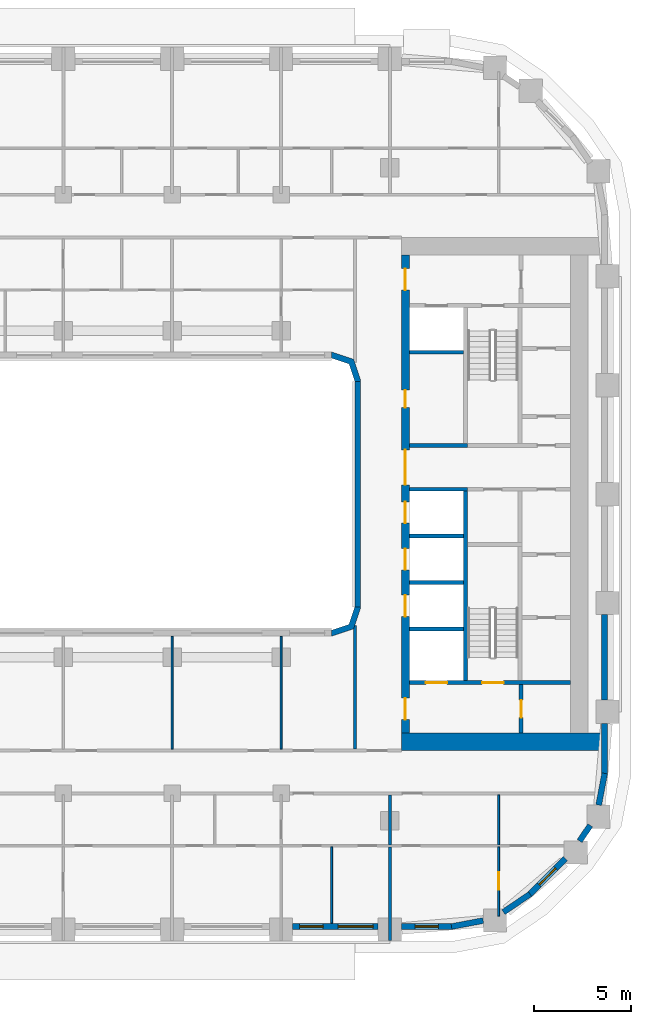
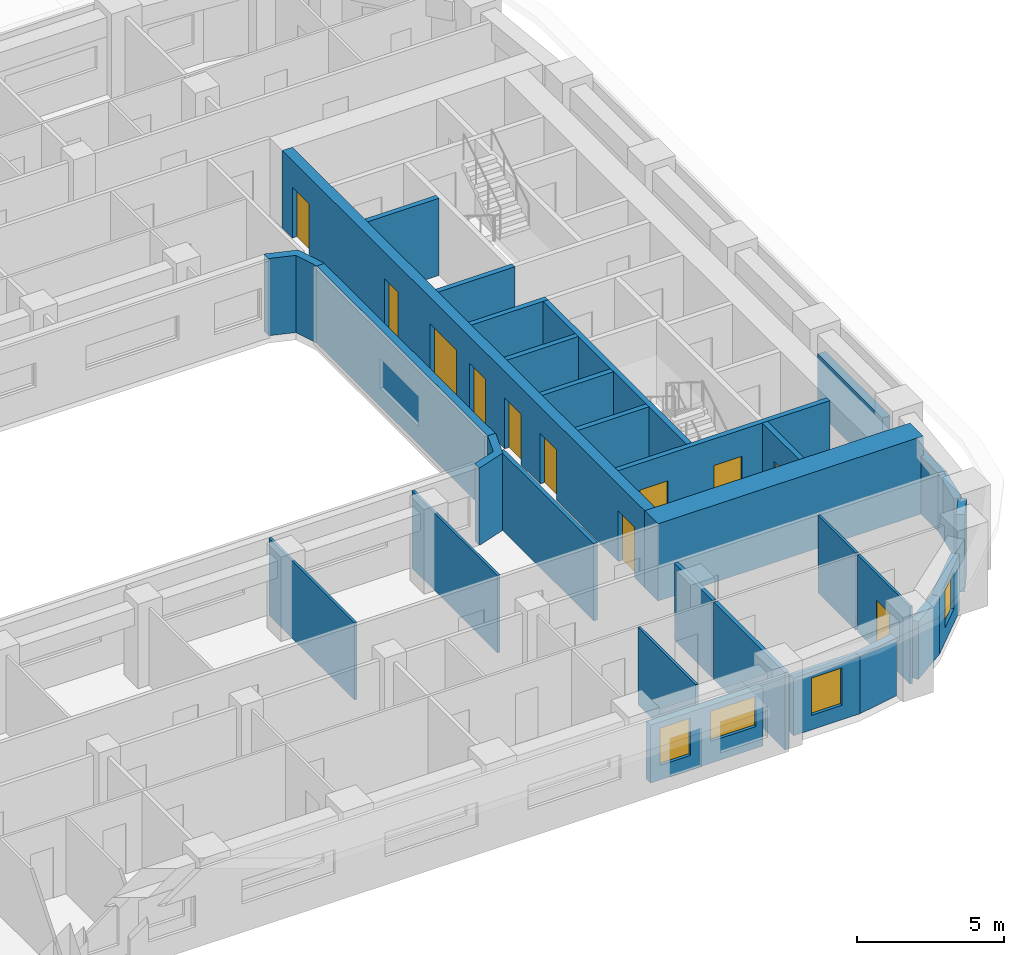
# One storey, part 6 of 21: 31 walls, 11 doors, 4 windows, 15 openings.
"""IFC4 building model written with IfcOpenShell, lengths in metres."""

from ifc_helpers import new_model, si_unit, direction, frame, frame_2d, origin, place, context, subcontext, project, spatial, polyline, rectangle, outline, extrude, material, layer, layer_set, type_object, element, fill, save


model = new_model("IFC4")

# Units and contexts
model_context = context("Model", 3, precision=1e-05, world=origin(), true_north=direction((0.0, 1.0)))
body_context = subcontext(model_context, "Body", "Model", "MODEL_VIEW")
ifc_project = project(units=[si_unit("LENGTHUNIT", "METRE"), si_unit("AREAUNIT", "SQUARE_METRE"), si_unit("VOLUMEUNIT", "CUBIC_METRE"), si_unit("PLANEANGLEUNIT", "RADIAN"), si_unit("MASSUNIT", "GRAM", prefix="KILO")], contexts=[model_context])

# Site, building, storey
site_placement = place(None, origin())
site = spatial("IfcSite", under=ifc_project, at=site_placement, CompositionType="ELEMENT")
building_placement = place(site_placement, origin())
building = spatial("IfcBuilding", under=site, at=building_placement, Name="Kiln Ring Residences", CompositionType="ELEMENT")
storey_placement = place(building_placement, frame((0.0, 0.0, 114.800048828125)))
storey = spatial("IfcBuildingStorey", under=building, at=storey_placement, Name="L29", CompositionType="ELEMENT", Elevation=114.800048828125)

# Wall, opening, door
ifc_material_1 = material(Name="Gypsum board on steel studs", Category="steel")
ifc_layer_1 = layer(ifc_material_1, 0.199951171875)
ifc_layer_set_1 = layer_set([ifc_layer_1], Name="CORE-PARTITION-200")
wall_type_1 = type_object("IfcWallType", Name="CORE-PARTITION-200", PredefinedType="PARTITIONING", material=ifc_layer_set_1)
wall_1_placement = place(storey_placement, frame((23.550048828125, -12.300048828125, 0.0), z_axis=(0.0, 0.0, 1.0), x_axis=(0.0, 1.0, 0.0)))
wall_1 = element("IfcWall", 1, at=wall_1_placement, inside=storey, type_object=wall_type_1, Name="Core partition east L29 4", PredefinedType="PARTITIONING", context=body_context, shape_type="SweptSolid", body=[
    extrude(rectangle(XDim=2.5, YDim=0.199951171875, at=frame_2d((1.25, 0.0))), origin(), (0.0, 0.0, 1.0), 3.199951171875),
])
opening_1_placement = place(wall_1_placement, frame((0.800048828125, 0.0, 0.0)))
opening_1 = element("IfcOpeningElement", 2, at=opening_1_placement, cuts=wall_1, Name="Opening L29-CE10", PredefinedType="OPENING", context=body_context, shape_type="SweptSolid", body=[
    extrude(rectangle(XDim=0.89990234375, YDim=2.10009765625, at=frame_2d((0.449951171875, 1.050048828125))), frame((0.0, 0.10986328125, 0.0), z_axis=(0.0, -1.0, 0.0), x_axis=(1.0, 0.0, 0.0)), (0.0, 0.0, 1.0), 0.219970703125),
])
ifc_material_2 = material(Name="Steel door leaf", Category="steel")
door_type_1 = type_object("IfcDoorType", Name="CORE-DOOR-ROOM", OperationType="SINGLE_SWING_LEFT", PredefinedType="DOOR", material=ifc_material_2)
door_1_placement = place(opening_1_placement, origin())
door_1 = element("IfcDoor", 3, at=door_1_placement, inside=storey, type_object=door_type_1, Name="Store L29-CE10", OperationType="SINGLE_SWING_LEFT", OverallHeight=2.10009765625, OverallWidth=0.89990234375, PredefinedType="DOOR", context=body_context, shape_type="SweptSolid", body=[
    extrude(rectangle(XDim=0.89990234375, YDim=2.10009765625, at=frame_2d((0.449951171875, 1.050048828125))), frame((0.0, 0.02490234375, 0.0), z_axis=(0.0, -1.0, 0.0), x_axis=(1.0, 0.0, 0.0)), (0.0, 0.0, 1.0), 0.050048828125),
])
fill(opening_1, door_1)

# Walls
ifc_material_3 = material(Name="Gypsum shaft wall system")
ifc_layer_2 = layer(ifc_material_3, 0.199951171875)
ifc_layer_set_2 = layer_set([ifc_layer_2], Name="CORE-SHAFT-WALL-200")
wall_type_2 = type_object("IfcWallType", Name="CORE-SHAFT-WALL-200", PredefinedType="PARTITIONING", material=ifc_layer_set_2)
for number, where, z_axis, x_axis, name in (
    (4, (17.800048828125, -6.949951171875, 0.0), (0.0, 0.0, 1.0), (1.0, 0.0, 0.0), "Core partition east L29 9"),
    (5, (17.800048828125, -4.550048828125, 0.0), (0.0, 0.0, 1.0), (1.0, 0.0, 0.0), "Core partition east L29 10"),
    (6, (17.800048828125, -2.14990234375, 0.0), (0.0, 0.0, 1.0), (1.0, 0.0, 0.0), "Core partition east L29 11"),
):
    element("IfcWall", number, at=place(storey_placement, frame(where, z_axis=z_axis, x_axis=x_axis)), inside=storey, type_object=wall_type_2, Name=name, PredefinedType="PARTITIONING", context=body_context, shape_type="SweptSolid", body=[
        extrude(rectangle(XDim=2.800048828125, YDim=0.199951171875, at=frame_2d((1.39990234375, 0.0))), origin(), (0.0, 0.0, 1.0), 3.199951171875),
    ])
for number, where, z_axis, x_axis, name in (
    (7, (17.800048828125, 0.25, 0.0), (0.0, 0.0, 1.0), (1.0, 0.0, 0.0), "Core partition east L29 12"),
    (8, (17.800048828125, 2.5, 0.0), (0.0, 0.0, 1.0), (1.0, 0.0, 0.0), "Core partition east L29 13"),
):
    element("IfcWall", number, at=place(storey_placement, frame(where, z_axis=z_axis, x_axis=x_axis)), inside=storey, type_object=wall_type_2, Name=name, PredefinedType="PARTITIONING", context=body_context, shape_type="SweptSolid", body=[
        extrude(rectangle(XDim=3.0, YDim=0.199951171875, at=frame_2d((1.5, 0.0))), origin(), (0.0, 0.0, 1.0), 3.199951171875),
    ])
wall_2_placement = place(storey_placement, frame((17.800048828125, 7.300048828125, 0.0), z_axis=(0.0, 0.0, 1.0), x_axis=(1.0, 0.0, 0.0)))
element("IfcWall", 9, at=wall_2_placement, inside=storey, type_object=wall_type_2, Name="Core partition east L29 14", PredefinedType="PARTITIONING", context=body_context, shape_type="SweptSolid", body=[
    extrude(rectangle(XDim=2.800048828125, YDim=0.199951171875, at=frame_2d((1.39990234375, 0.0))), origin(), (0.0, 0.0, 1.0), 3.199951171875),
])
ifc_material_4 = material(Name="Concrete C40/50", Category="concrete")
ifc_layer_3 = layer(ifc_material_4, 0.199951171875)
ifc_layer_set_3 = layer_set([ifc_layer_3], Name="CORE-WALL-RC200")
wall_type_3 = type_object("IfcWallType", Name="CORE-WALL-RC200", PredefinedType="SHEAR", material=ifc_layer_set_3)
wall_3_placement = place(storey_placement, frame((20.699951171875, -9.60009765625, 0.0), z_axis=(0.0, 0.0, 1.0), x_axis=(0.0, 1.0, 0.0)))
element("IfcWall", 10, at=wall_3_placement, inside=storey, type_object=wall_type_3, Name="Core wall east L29 2", PredefinedType="SHEAR", context=body_context, shape_type="SweptSolid", body=[
    extrude(rectangle(XDim=9.75, YDim=0.199951171875, at=frame_2d((4.875, 0.0))), origin(), (0.0, 0.0, 1.0), 3.199951171875),
])

# Wall, openings, doors
wall_4_placement = place(storey_placement, frame((17.800048828125, -9.699951171875, 0.0), z_axis=(0.0, 0.0, 1.0), x_axis=(1.0, 0.0, 0.0)))
wall_4 = element("IfcWall", 11, at=wall_4_placement, inside=storey, type_object=wall_type_3, Name="Core wall east L29 8", PredefinedType="SHEAR", context=body_context, shape_type="SweptSolid", body=[
    extrude(rectangle(XDim=8.300048828125, YDim=0.199951171875, at=frame_2d((4.14990234375, 0.0))), origin(), (0.0, 0.0, 1.0), 3.199951171875),
])
opening_2_placement = place(wall_4_placement, frame((0.85009765625, 0.0, 0.0)))
opening_2 = element("IfcOpeningElement", 12, at=opening_2_placement, cuts=wall_4, Name="Opening L29-CE01", PredefinedType="OPENING", context=body_context, shape_type="SweptSolid", body=[
    extrude(rectangle(XDim=1.10009765625, YDim=2.10009765625, at=frame_2d((0.550048828125, 1.050048828125))), frame((0.0, 0.10986328125, 0.0), z_axis=(0.0, -1.0, 0.0), x_axis=(1.0, 0.0, 0.0)), (0.0, 0.0, 1.0), 0.219970703125),
])
opening_3_placement = place(wall_4_placement, frame((3.75, 0.0, 0.0)))
opening_3 = element("IfcOpeningElement", 13, at=opening_3_placement, cuts=wall_4, Name="Opening L29-CE12", PredefinedType="OPENING", context=body_context, shape_type="SweptSolid", body=[
    extrude(rectangle(XDim=1.10009765625, YDim=2.10009765625, at=frame_2d((0.550048828125, 1.050048828125))), frame((0.0, 0.10986328125, 0.0), z_axis=(0.0, -1.0, 0.0), x_axis=(1.0, 0.0, 0.0)), (0.0, 0.0, 1.0), 0.219970703125),
])
ifc_material_5 = material(Name="Steel door leaf", Category="steel")
door_type_2 = type_object("IfcDoorType", Name="CORE-DOOR-LD", OperationType="DOUBLE_DOOR_SLIDING", PredefinedType="DOOR", material=ifc_material_5)
door_2_placement = place(opening_2_placement, origin())
door_2 = element("IfcDoor", 14, at=door_2_placement, inside=storey, type_object=door_type_2, Name="LD E-SV L29-CE01", OperationType="DOUBLE_DOOR_SLIDING", OverallHeight=2.10009765625, OverallWidth=1.10009765625, PredefinedType="DOOR", context=body_context, shape_type="SweptSolid", body=[
    extrude(rectangle(XDim=1.10009765625, YDim=2.10009765625, at=frame_2d((0.550048828125, 1.050048828125))), frame((0.0, 0.02490234375, 0.0), z_axis=(0.0, -1.0, 0.0), x_axis=(1.0, 0.0, 0.0)), (0.0, 0.0, 1.0), 0.050048828125),
])
fill(opening_2, door_2)
ifc_material_6 = material(Name="Steel door leaf", Category="steel")
door_type_3 = type_object("IfcDoorType", Name="CORE-DOOR-STAIR", OperationType="SINGLE_SWING_LEFT", PredefinedType="DOOR", material=ifc_material_6)
door_3_placement = place(opening_3_placement, origin())
door_3 = element("IfcDoor", 15, at=door_3_placement, inside=storey, type_object=door_type_3, Name="Stair E-STS L29-CE12", OperationType="SINGLE_SWING_RIGHT", OverallHeight=2.10009765625, OverallWidth=1.10009765625, PredefinedType="DOOR", context=body_context, shape_type="SweptSolid", body=[
    extrude(rectangle(XDim=1.10009765625, YDim=2.10009765625, at=frame_2d((0.550048828125, 1.050048828125))), frame((0.0, 0.02490234375, 0.0), z_axis=(0.0, -1.0, 0.0), x_axis=(1.0, 0.0, 0.0)), (0.0, 0.0, 1.0), 0.050048828125),
])
fill(opening_3, door_3)

ifc_material_7 = material(Name="Concrete C60/75", Category="concrete")
ifc_layer_4 = layer(ifc_material_7, 0.39990234375)
ifc_layer_set_4 = layer_set([ifc_layer_4], Name="CORE-WALL-RC400")
wall_type_4 = type_object("IfcWallType", Name="CORE-WALL-RC400", PredefinedType="SHEAR", material=ifc_layer_set_4)
wall_5_placement = place(storey_placement, frame((17.60009765625, -12.300048828125, 0.0), z_axis=(0.0, 0.0, 1.0), x_axis=(0.0, 1.0, 0.0)))
wall_5 = element("IfcWall", 16, at=wall_5_placement, inside=storey, type_object=wall_type_4, Name="Core wall east L29 6", PredefinedType="SHEAR", context=body_context, shape_type="SweptSolid", body=[
    extrude(rectangle(XDim=24.60009765625, YDim=0.39990234375, at=frame_2d((12.300048828125, 0.0))), origin(), (0.0, 0.0, 1.0), 3.199951171875),
])
opening_4_placement = place(wall_5_placement, frame((6.0, 0.0, 0.0)))
opening_4 = element("IfcOpeningElement", 17, at=opening_4_placement, cuts=wall_5, Name="Opening L29-CE02", PredefinedType="OPENING", context=body_context, shape_type="SweptSolid", body=[
    extrude(rectangle(XDim=1.10009765625, YDim=2.10009765625, at=frame_2d((0.550048828125, 1.050048828125))), frame((0.0, 0.2099609375, 0.0), z_axis=(0.0, -1.0, 0.0), x_axis=(1.0, 0.0, 0.0)), (0.0, 0.0, 1.0), 0.419921875),
])
opening_5_placement = place(wall_5_placement, frame((8.39990234375, 0.0, 0.0)))
opening_5 = element("IfcOpeningElement", 18, at=opening_5_placement, cuts=wall_5, Name="Opening L29-CE03", PredefinedType="OPENING", context=body_context, shape_type="SweptSolid", body=[
    extrude(rectangle(XDim=1.10009765625, YDim=2.10009765625, at=frame_2d((0.550048828125, 1.050048828125))), frame((0.0, 0.2099609375, 0.0), z_axis=(0.0, -1.0, 0.0), x_axis=(1.0, 0.0, 0.0)), (0.0, 0.0, 1.0), 0.419921875),
])
opening_6_placement = place(wall_5_placement, frame((10.800048828125, 0.0, 0.0)))
opening_6 = element("IfcOpeningElement", 19, at=opening_6_placement, cuts=wall_5, Name="Opening L29-CE04", PredefinedType="OPENING", context=body_context, shape_type="SweptSolid", body=[
    extrude(rectangle(XDim=1.10009765625, YDim=2.10009765625, at=frame_2d((0.550048828125, 1.050048828125))), frame((0.0, 0.2099609375, 0.0), z_axis=(0.0, -1.0, 0.0), x_axis=(1.0, 0.0, 0.0)), (0.0, 0.0, 1.0), 0.419921875),
])
opening_7_placement = place(wall_5_placement, frame((16.75, 0.0, 0.0)))
opening_7 = element("IfcOpeningElement", 20, at=opening_7_placement, cuts=wall_5, Name="Opening L29-CE05", PredefinedType="OPENING", context=body_context, shape_type="SweptSolid", body=[
    extrude(rectangle(XDim=0.89990234375, YDim=2.10009765625, at=frame_2d((0.449951171875, 1.050048828125))), frame((0.0, 0.2099609375, 0.0), z_axis=(0.0, -1.0, 0.0), x_axis=(1.0, 0.0, 0.0)), (0.0, 0.0, 1.0), 0.419921875),
])
opening_8_placement = place(wall_5_placement, frame((22.800048828125, 0.0, 0.0)))
opening_8 = element("IfcOpeningElement", 21, at=opening_8_placement, cuts=wall_5, Name="Opening L29-CE07", PredefinedType="OPENING", context=body_context, shape_type="SweptSolid", body=[
    extrude(rectangle(XDim=1.10009765625, YDim=2.10009765625, at=frame_2d((0.550048828125, 1.050048828125))), frame((0.0, 0.2099609375, 0.0), z_axis=(0.0, -1.0, 0.0), x_axis=(1.0, 0.0, 0.0)), (0.0, 0.0, 1.0), 0.419921875),
])
opening_9_placement = place(wall_5_placement, frame((0.699951171875, 0.0, 0.0)))
opening_9 = element("IfcOpeningElement", 22, at=opening_9_placement, cuts=wall_5, Name="Opening L29-CE08", PredefinedType="OPENING", context=body_context, shape_type="SweptSolid", body=[
    extrude(rectangle(XDim=1.10009765625, YDim=2.10009765625, at=frame_2d((0.550048828125, 1.050048828125))), frame((0.0, 0.2099609375, 0.0), z_axis=(0.0, -1.0, 0.0), x_axis=(1.0, 0.0, 0.0)), (0.0, 0.0, 1.0), 0.419921875),
])
opening_10_placement = place(wall_5_placement, frame((12.77490234375, 0.0, 0.0)))
opening_10 = element("IfcOpeningElement", 23, at=opening_10_placement, cuts=wall_5, Name="Opening L29-CE13", PredefinedType="OPENING", context=body_context, shape_type="SweptSolid", body=[
    extrude(rectangle(XDim=1.800048828125, YDim=2.10009765625, at=frame_2d((0.89990234375, 1.050048828125))), frame((0.0, 0.2099609375, 0.0), z_axis=(0.0, -1.0, 0.0), x_axis=(1.0, 0.0, 0.0)), (0.0, 0.0, 1.0), 0.419921875),
])
door_4_placement = place(opening_4_placement, origin())
door_4 = element("IfcDoor", 24, at=door_4_placement, inside=storey, type_object=door_type_2, Name="LD E-L1 L29-CE02", OperationType="DOUBLE_DOOR_SLIDING", OverallHeight=2.10009765625, OverallWidth=1.10009765625, PredefinedType="DOOR", context=body_context, shape_type="SweptSolid", body=[
    extrude(rectangle(XDim=1.10009765625, YDim=2.10009765625, at=frame_2d((0.550048828125, 1.050048828125))), frame((0.0, 0.02490234375, 0.0), z_axis=(0.0, -1.0, 0.0), x_axis=(1.0, 0.0, 0.0)), (0.0, 0.0, 1.0), 0.050048828125),
])
fill(opening_4, door_4)
door_5_placement = place(opening_5_placement, origin())
door_5 = element("IfcDoor", 25, at=door_5_placement, inside=storey, type_object=door_type_2, Name="LD E-L2 L29-CE03", OperationType="DOUBLE_DOOR_SLIDING", OverallHeight=2.10009765625, OverallWidth=1.10009765625, PredefinedType="DOOR", context=body_context, shape_type="SweptSolid", body=[
    extrude(rectangle(XDim=1.10009765625, YDim=2.10009765625, at=frame_2d((0.550048828125, 1.050048828125))), frame((0.0, 0.02490234375, 0.0), z_axis=(0.0, -1.0, 0.0), x_axis=(1.0, 0.0, 0.0)), (0.0, 0.0, 1.0), 0.050048828125),
])
fill(opening_5, door_5)
door_6_placement = place(opening_6_placement, origin())
door_6 = element("IfcDoor", 26, at=door_6_placement, inside=storey, type_object=door_type_2, Name="LD E-L3 L29-CE04", OperationType="DOUBLE_DOOR_SLIDING", OverallHeight=2.10009765625, OverallWidth=1.10009765625, PredefinedType="DOOR", context=body_context, shape_type="SweptSolid", body=[
    extrude(rectangle(XDim=1.10009765625, YDim=2.10009765625, at=frame_2d((0.550048828125, 1.050048828125))), frame((0.0, 0.02490234375, 0.0), z_axis=(0.0, -1.0, 0.0), x_axis=(1.0, 0.0, 0.0)), (0.0, 0.0, 1.0), 0.050048828125),
])
fill(opening_6, door_6)
ifc_material_8 = material(Name="Steel door leaf", Category="steel")
door_type_4 = type_object("IfcDoorType", Name="CORE-DOOR-LOBBY", OperationType="SINGLE_SWING_LEFT", PredefinedType="DOOR", material=ifc_material_8)
door_7_placement = place(opening_8_placement, origin())
door_7 = element("IfcDoor", 27, at=door_7_placement, inside=storey, type_object=door_type_4, Name="FFL L29-CE07", OperationType="SINGLE_SWING_LEFT", OverallHeight=2.10009765625, OverallWidth=1.10009765625, PredefinedType="DOOR", context=body_context, shape_type="SweptSolid", body=[
    extrude(rectangle(XDim=1.10009765625, YDim=2.10009765625, at=frame_2d((0.550048828125, 1.050048828125))), frame((0.0, 0.02490234375, 0.0), z_axis=(0.0, -1.0, 0.0), x_axis=(1.0, 0.0, 0.0)), (0.0, 0.0, 1.0), 0.050048828125),
])
fill(opening_8, door_7)
door_8_placement = place(opening_9_placement, origin())
door_8 = element("IfcDoor", 28, at=door_8_placement, inside=storey, type_object=door_type_4, Name="SVL L29-CE08", OperationType="SINGLE_SWING_RIGHT", OverallHeight=2.10009765625, OverallWidth=1.10009765625, PredefinedType="DOOR", context=body_context, shape_type="SweptSolid", body=[
    extrude(rectangle(XDim=1.10009765625, YDim=2.10009765625, at=frame_2d((0.550048828125, 1.050048828125))), frame((0.0, 0.02490234375, 0.0), z_axis=(0.0, -1.0, 0.0), x_axis=(1.0, 0.0, 0.0)), (0.0, 0.0, 1.0), 0.050048828125),
])
fill(opening_9, door_8)
ifc_material_9 = material(Name="Steel door leaf", Category="steel")
door_type_5 = type_object("IfcDoorType", Name="CORE-DOOR-PASS", OperationType="DOUBLE_DOOR_SINGLE_SWING", PredefinedType="DOOR", material=ifc_material_9)
door_9_placement = place(opening_10_placement, origin())
door_9 = element("IfcDoor", 29, at=door_9_placement, inside=storey, type_object=door_type_5, Name="Core passage L29-CE13", OperationType="DOUBLE_DOOR_SINGLE_SWING", OverallHeight=2.10009765625, OverallWidth=1.800048828125, PredefinedType="DOOR", context=body_context, shape_type="SweptSolid", body=[
    extrude(rectangle(XDim=1.800048828125, YDim=2.10009765625, at=frame_2d((0.89990234375, 1.050048828125))), frame((0.0, 0.02490234375, 0.0), z_axis=(0.0, -1.0, 0.0), x_axis=(1.0, 0.0, 0.0)), (0.0, 0.0, 1.0), 0.050048828125),
])
fill(opening_10, door_9)
door_10_placement = place(opening_7_placement, origin())
door_10 = element("IfcDoor", 30, at=door_10_placement, inside=storey, type_object=door_type_1, Name="Housekeeping store L29-CE05", OperationType="SINGLE_SWING_RIGHT", OverallHeight=2.10009765625, OverallWidth=0.89990234375, PredefinedType="DOOR", context=body_context, shape_type="SweptSolid", body=[
    extrude(rectangle(XDim=0.89990234375, YDim=2.10009765625, at=frame_2d((0.449951171875, 1.050048828125))), frame((0.0, 0.02490234375, 0.0), z_axis=(0.0, -1.0, 0.0), x_axis=(1.0, 0.0, 0.0)), (0.0, 0.0, 1.0), 0.050048828125),
])
fill(opening_7, door_10)

# Wall
ifc_material_10 = material(Name="Concrete C60/75", Category="concrete")
ifc_layer_5 = layer(ifc_material_10, 0.89990234375)
ifc_layer_set_5 = layer_set([ifc_layer_5], Name="CORE-WALL-RC900")
wall_type_5 = type_object("IfcWallType", Name="CORE-WALL-RC900", PredefinedType="SHEAR", material=ifc_layer_set_5)
wall_6_placement = place(storey_placement, frame((17.39990234375, -12.75, 0.0), z_axis=(0.0, 0.0, 1.0), x_axis=(1.0, 0.0, 0.0)))
element("IfcWall", 31, at=wall_6_placement, inside=storey, type_object=wall_type_5, Name="Core wall east L29 5", PredefinedType="SHEAR", context=body_context, shape_type="SweptSolid", body=[
    extrude(rectangle(XDim=10.400146484375, YDim=0.89990234375, at=frame_2d((5.2001953125, 0.0))), origin(), (0.0, 0.0, 1.0), 3.199951171875),
])

# Wall, openings, windows
ifc_material_11 = material(Name="Brick masonry, dark clay brick", Category="masonry")
ifc_layer_6 = layer(ifc_material_11, 0.300048828125)
ifc_layer_set_6 = layer_set([ifc_layer_6], Name="EW-300 BRICK WALL")
wall_type_6 = type_object("IfcWallType", Name="EW-300 BRICK WALL", PredefinedType="SOLIDWALL", material=ifc_layer_set_6)
wall_7_placement = place(storey_placement, frame((11.800048828125, -22.25, 0.0), z_axis=(0.0, 0.0, 1.0), x_axis=(1.0, 0.0, 0.0)))
wall_7 = element("IfcWall", 32, at=wall_7_placement, inside=storey, type_object=wall_type_6, Name="Facade wall L29 10", PredefinedType="SOLIDWALL", context=body_context, shape_type="SweptSolid", body=[
    extrude(rectangle(XDim=4.39990234375, YDim=0.300048828125, at=frame_2d((2.199951171875, 0.0))), origin(), (0.0, 0.0, 1.0), 2.39990234375),
])
opening_11_placement = place(wall_7_placement, frame((0.362548828125, 0.0, 0.60009765625)))
opening_11 = element("IfcOpeningElement", 33, at=opening_11_placement, cuts=wall_7, Name="Opening W1", PredefinedType="OPENING", context=body_context, shape_type="SweptSolid", body=[
    extrude(rectangle(XDim=1.199951171875, YDim=1.550048828125, at=frame_2d((0.60009765625, 0.77490234375))), frame((0.0, 0.159912109375, 0.0), z_axis=(0.0, -1.0, 0.0), x_axis=(1.0, 0.0, 0.0)), (0.0, 0.0, 1.0), 0.320068359375),
])
opening_12_placement = place(wall_7_placement, frame((2.33740234375, 0.0, 0.89990234375)))
opening_12 = element("IfcOpeningElement", 34, at=opening_12_placement, cuts=wall_7, Name="Opening W2", PredefinedType="OPENING", context=body_context, shape_type="SweptSolid", body=[
    extrude(rectangle(XDim=1.800048828125, YDim=1.25, at=frame_2d((0.89990234375, 0.625))), frame((0.0, 0.159912109375, 0.0), z_axis=(0.0, -1.0, 0.0), x_axis=(1.0, 0.0, 0.0)), (0.0, 0.0, 1.0), 0.320068359375),
])
ifc_material_12 = material(Name="Aluminium frame with double glazing", Category="aluminium")
window_type_1 = type_object("IfcWindowType", Name="WINDOW 1200 x 1550", PartitioningType="SINGLE_PANEL", PredefinedType="WINDOW", material=ifc_material_12)
window_1_placement = place(opening_11_placement, origin())
window_1 = element("IfcWindow", 35, at=window_1_placement, inside=storey, type_object=window_type_1, Name="Window L29 9", OverallHeight=1.550048828125, OverallWidth=1.199951171875, PartitioningType="SINGLE_PANEL", PredefinedType="WINDOW", context=body_context, shape_type="SweptSolid", body=[
    extrude(rectangle(XDim=1.199951171875, YDim=1.550048828125, at=frame_2d((0.60009765625, 0.77490234375))), frame((0.0, 0.030029296875, 0.0), z_axis=(0.0, -1.0, 0.0), x_axis=(1.0, 0.0, 0.0)), (0.0, 0.0, 1.0), 0.06005859375),
])
fill(opening_11, window_1)
ifc_material_13 = material(Name="Aluminium frame with double glazing", Category="aluminium")
window_type_2 = type_object("IfcWindowType", Name="WINDOW 1800 x 1250", PartitioningType="SINGLE_PANEL", PredefinedType="WINDOW", material=ifc_material_13)
window_2_placement = place(opening_12_placement, origin())
window_2 = element("IfcWindow", 36, at=window_2_placement, inside=storey, type_object=window_type_2, Name="Window L29 10", OverallHeight=1.25, OverallWidth=1.800048828125, PartitioningType="SINGLE_PANEL", PredefinedType="WINDOW", context=body_context, shape_type="SweptSolid", body=[
    extrude(rectangle(XDim=1.800048828125, YDim=1.25, at=frame_2d((0.89990234375, 0.625))), frame((0.0, 0.030029296875, 0.0), z_axis=(0.0, -1.0, 0.0), x_axis=(1.0, 0.0, 0.0)), (0.0, 0.0, 1.0), 0.06005859375),
])
fill(opening_12, window_2)

# Wall, opening, window
wall_8_placement = place(storey_placement, frame((17.39990234375, -22.25, 0.0), z_axis=(0.0, 0.0, 1.0), x_axis=(1.0, 0.0, 0.0)))
wall_8 = element("IfcWall", 37, at=wall_8_placement, inside=storey, type_object=wall_type_6, Name="Facade wall L29 11", PredefinedType="SOLIDWALL", context=body_context, shape_type="SweptSolid", body=[
    extrude(rectangle(XDim=2.60009765625, YDim=0.300048828125, at=frame_2d((1.300048828125, 0.0))), origin(), (0.0, 0.0, 1.0), 2.39990234375),
])
opening_13_placement = place(wall_8_placement, frame((0.699951171875, 0.0, 0.60009765625)))
opening_13 = element("IfcOpeningElement", 38, at=opening_13_placement, cuts=wall_8, Name="Opening W1", PredefinedType="OPENING", context=body_context, shape_type="SweptSolid", body=[
    extrude(rectangle(XDim=1.199951171875, YDim=1.550048828125, at=frame_2d((0.60009765625, 0.77490234375))), frame((0.0, 0.159912109375, 0.0), z_axis=(0.0, -1.0, 0.0), x_axis=(1.0, 0.0, 0.0)), (0.0, 0.0, 1.0), 0.320068359375),
])
window_3_placement = place(opening_13_placement, origin())
window_3 = element("IfcWindow", 39, at=window_3_placement, inside=storey, type_object=window_type_1, Name="Window L29 11", OverallHeight=1.550048828125, OverallWidth=1.199951171875, PartitioningType="SINGLE_PANEL", PredefinedType="WINDOW", context=body_context, shape_type="SweptSolid", body=[
    extrude(rectangle(XDim=1.199951171875, YDim=1.550048828125, at=frame_2d((0.60009765625, 0.77490234375))), frame((0.0, 0.030029296875, 0.0), z_axis=(0.0, -1.0, 0.0), x_axis=(1.0, 0.0, 0.0)), (0.0, 0.0, 1.0), 0.06005859375),
])
fill(opening_13, window_3)

# Walls
for number, where, z_axis, x_axis, name in (
    (40, (19.971923828125, -22.252685546875, 0.0), (0.0, 0.0, 1.0), (0.98228820662, 0.187376303559, 0.0), "Facade wall L29 12"),
    (41, (22.64306640625, -21.509765625, 0.0), (0.0, 0.0, 1.0), (0.827049873329, 0.562128550268, 0.0), "Facade wall L29 13"),
):
    element("IfcWall", number, at=place(storey_placement, frame(where, z_axis=z_axis, x_axis=x_axis)), inside=storey, type_object=wall_type_6, Name=name, PredefinedType="SOLIDWALL", context=body_context, shape_type="SweptSolid", body=[
        extrude(rectangle(XDim=1.656005859375, YDim=0.300048828125, at=frame_2d((0.828125, 0.0))), origin(), (0.0, 0.0, 1.0), 2.39990234375),
    ])

# Wall, opening, window
wall_9_placement = place(storey_placement, frame((23.990966796875, -20.596923828125, 0.0), z_axis=(0.0, 0.0, 1.0), x_axis=(0.707106781187, 0.707106781187, 0.0)))
wall_9 = element("IfcWall", 42, at=wall_9_placement, inside=storey, type_object=wall_type_6, Name="Facade wall L29 14", PredefinedType="SOLIDWALL", context=body_context, shape_type="SweptSolid", body=[
    extrude(rectangle(XDim=2.60009765625, YDim=0.300048828125, at=frame_2d((1.300048828125, 0.0))), origin(), (0.0, 0.0, 1.0), 2.39990234375),
])
opening_14_placement = place(wall_9_placement, frame((0.699951171875, 0.0, 0.60009765625)))
opening_14 = element("IfcOpeningElement", 43, at=opening_14_placement, cuts=wall_9, Name="Opening W1", PredefinedType="OPENING", context=body_context, shape_type="SweptSolid", body=[
    extrude(rectangle(XDim=1.199951171875, YDim=1.550048828125, at=frame_2d((0.60009765625, 0.77490234375))), frame((0.0, 0.159912109375, 0.0), z_axis=(0.0, -1.0, 0.0), x_axis=(1.0, 0.0, 0.0)), (0.0, 0.0, 1.0), 0.320068359375),
])
window_4_placement = place(opening_14_placement, origin())
window_4 = element("IfcWindow", 44, at=window_4_placement, inside=storey, type_object=window_type_1, Name="Window L29 12", OverallHeight=1.550048828125, OverallWidth=1.199951171875, PartitioningType="SINGLE_PANEL", PredefinedType="WINDOW", context=body_context, shape_type="SweptSolid", body=[
    extrude(rectangle(XDim=1.199951171875, YDim=1.550048828125, at=frame_2d((0.60009765625, 0.77490234375))), frame((0.0, 0.030029296875, 0.0), z_axis=(0.0, -1.0, 0.0), x_axis=(1.0, 0.0, 0.0)), (0.0, 0.0, 1.0), 0.06005859375),
])
fill(opening_14, window_4)

# Walls
wall_10_placement = place(storey_placement, frame((26.560546875, -17.85107421875, 0.0), z_axis=(0.0, 0.0, 1.0), x_axis=(0.562173331661, 0.827019434577, 0.0)))
element("IfcWall", 45, at=wall_10_placement, inside=storey, type_object=wall_type_6, Name="Facade wall L29 15", PredefinedType="SOLIDWALL", context=body_context, shape_type="SweptSolid", body=[
    extrude(rectangle(XDim=0.97705078125, YDim=0.300048828125, at=frame_2d((0.488525390625, 0.0))), origin(), (0.0, 0.0, 1.0), 3.199951171875),
])
wall_11_placement = place(storey_placement, frame((27.542236328125, -15.998779296875, 0.0), z_axis=(0.0, 0.0, 1.0), x_axis=(0.187349172861, 0.982293381546, 0.0)))
element("IfcWall", 46, at=wall_11_placement, inside=storey, type_object=wall_type_6, Name="Facade wall L29 16", PredefinedType="SOLIDWALL", context=body_context, shape_type="SweptSolid", body=[
    extrude(rectangle(XDim=1.65625, YDim=0.300048828125, at=frame_2d((0.828125, 0.0))), origin(), (0.0, 0.0, 1.0), 2.39990234375),
])
wall_12_placement = place(storey_placement, frame((27.85009765625, -14.39990234375, 0.0), z_axis=(0.0, 0.0, 1.0), x_axis=(0.0, 1.0, 0.0)))
element("IfcWall", 47, at=wall_12_placement, inside=storey, type_object=wall_type_6, Name="Facade wall L29 17", PredefinedType="SOLIDWALL", context=body_context, shape_type="SweptSolid", body=[
    extrude(rectangle(XDim=2.599853515625, YDim=0.300048828125, at=frame_2d((1.2998046875, 0.0))), origin(), (0.0, 0.0, 1.0), 2.39990234375),
])
wall_13_placement = place(storey_placement, frame((27.85009765625, -10.60009765625, 0.0), z_axis=(0.0, 0.0, 1.0), x_axis=(0.0, 1.0, 0.0)))
element("IfcWall", 48, at=wall_13_placement, inside=storey, type_object=wall_type_6, Name="Facade wall L29 18", PredefinedType="SOLIDWALL", context=body_context, shape_type="SweptSolid", body=[
    extrude(rectangle(XDim=4.400146484375, YDim=0.300048828125, at=frame_2d((2.2001953125, 0.0))), origin(), (0.0, 0.0, 1.0), 2.39990234375),
])
wall_14_placement = place(storey_placement, frame((15.14990234375, 5.800048828125, 0.0), z_axis=(0.0, 0.0, 1.0), x_axis=(0.0, -1.0, 0.0)))
element("IfcWall", 49, at=wall_14_placement, inside=storey, type_object=wall_type_6, Name="Facade wall L29 51", PredefinedType="SOLIDWALL", context=body_context, shape_type="SweptSolid", body=[
    extrude(rectangle(XDim=11.60009765625, YDim=0.300048828125, at=frame_2d((5.800048828125, 0.0))), origin(), (0.0, 0.0, 1.0), 3.199951171875),
])
placement = place(storey_placement, origin())
element("IfcWall", 50, at=placement, inside=storey, type_object=wall_type_6, Name="Corner wall L29 2", PredefinedType="SOLIDWALL", context=body_context, shape_type="SweptSolid", body=[
    extrude(outline(polyline([(14.937255859375, 6.937255859375), (13.8486328125, 7.300048828125), (13.800048828125, 7.300048828125), (13.800048828125, 7.0), (14.699951171875, 6.699951171875), (15.0, 5.800048828125), (15.300048828125, 5.800048828125), (15.300048828125, 5.8486328125), (14.937255859375, 6.937255859375)])), origin(), (0.0, 0.0, 1.0), 3.199951171875),
])
element("IfcWall", 51, at=placement, inside=storey, type_object=wall_type_6, Name="Corner wall L29 3", PredefinedType="SOLIDWALL", context=body_context, shape_type="SweptSolid", body=[
    extrude(outline(polyline([(14.937255859375, -6.937255859375), (15.300048828125, -5.8486328125), (15.300048828125, -5.800048828125), (15.0, -5.800048828125), (14.699951171875, -6.699951171875), (13.800048828125, -7.0), (13.800048828125, -7.300048828125), (13.8486328125, -7.300048828125), (14.937255859375, -6.937255859375)])), origin(), (0.0, 0.0, 1.0), 3.199951171875),
])
ifc_material_14 = material(Name="Gypsum board on steel studs", Category="steel")
ifc_layer_7 = layer(ifc_material_14, 0.10009765625)
ifc_layer_set_7 = layer_set([ifc_layer_7], Name="PARTITION-100")
wall_type_7 = type_object("IfcWallType", Name="PARTITION-100", PredefinedType="PARTITIONING", material=ifc_layer_set_7)
for number, where, z_axis, x_axis, name in (
    (52, (5.60009765625, -13.125, 0.0), (0.0, 0.0, 1.0), (0.0, 1.0, 0.0), "Partition 044"),
    (53, (11.199951171875, -13.125, 0.0), (0.0, 0.0, 1.0), (0.0, 1.0, 0.0), "Partition 055"),
):
    element("IfcWall", number, at=place(storey_placement, frame(where, z_axis=z_axis, x_axis=x_axis)), inside=storey, type_object=wall_type_7, Name=name, PredefinedType="PARTITIONING", context=body_context, shape_type="SweptSolid", body=[
        extrude(rectangle(XDim=5.804931640625, YDim=0.10009765625, at=frame_2d((2.90234375, 0.0))), origin(), (0.0, 0.0, 1.0), 3.199951171875),
    ])
wall_17_placement = place(storey_placement, frame((13.800048828125, -22.080078125, 0.0), z_axis=(0.0, 0.0, 1.0), x_axis=(0.0, 1.0, 0.0)))
element("IfcWall", 54, at=wall_17_placement, inside=storey, type_object=wall_type_7, Name="Partition 060", PredefinedType="PARTITIONING", context=body_context, shape_type="SweptSolid", body=[
    extrude(rectangle(XDim=3.93017578125, YDim=0.10009765625, at=frame_2d((1.965087890625, 0.0))), origin(), (0.0, 0.0, 1.0), 3.199951171875),
])

# Wall, opening, door
wall_18_placement = place(storey_placement, frame((22.39990234375, -21.719970703125, 0.0), z_axis=(0.0, 0.0, 1.0), x_axis=(0.0, 1.0, 0.0)))
wall_18 = element("IfcWall", 55, at=wall_18_placement, inside=storey, type_object=wall_type_7, Name="Partition 068", PredefinedType="PARTITIONING", context=body_context, shape_type="SweptSolid", body=[
    extrude(rectangle(XDim=3.570068359375, YDim=0.10009765625, at=frame_2d((1.78515625, 0.0))), origin(), (0.0, 0.0, 1.0), 3.199951171875),
])
opening_15_placement = place(wall_18_placement, frame((1.3720703125, 0.0, 0.0)))
opening_15 = element("IfcOpeningElement", 56, at=opening_15_placement, cuts=wall_18, Name="Opening L29-D072", PredefinedType="OPENING", context=body_context, shape_type="SweptSolid", body=[
    extrude(rectangle(XDim=0.89990234375, YDim=2.10009765625, at=frame_2d((0.449951171875, 1.050048828125))), frame((0.0, 0.06005859375, 0.0), z_axis=(0.0, -1.0, 0.0), x_axis=(1.0, 0.0, 0.0)), (0.0, 0.0, 1.0), 0.1201171875),
])
ifc_material_15 = material(Name="Timber door leaf", Category="wood")
door_type_6 = type_object("IfcDoorType", Name="FLAT-DOOR-900-PL", OperationType="SINGLE_SWING_LEFT", PredefinedType="DOOR", material=ifc_material_15)
door_11_placement = place(opening_15_placement, origin())
door_11 = element("IfcDoor", 57, at=door_11_placement, inside=storey, type_object=door_type_6, Name="Door L29-D072", OperationType="SINGLE_SWING_RIGHT", OverallHeight=2.10009765625, OverallWidth=0.89990234375, PredefinedType="DOOR", context=body_context, shape_type="SweptSolid", body=[
    extrude(rectangle(XDim=0.89990234375, YDim=2.10009765625, at=frame_2d((0.449951171875, 1.050048828125))), frame((0.0, 0.02490234375, 0.0), z_axis=(0.0, -1.0, 0.0), x_axis=(1.0, 0.0, 0.0)), (0.0, 0.0, 1.0), 0.050048828125),
])
fill(opening_15, door_11)

# Walls
wall_19_placement = place(storey_placement, frame((22.39990234375, -18.050048828125, 0.0), z_axis=(0.0, 0.0, 1.0), x_axis=(0.0, 1.0, 0.0)))
element("IfcWall", 58, at=wall_19_placement, inside=storey, type_object=wall_type_7, Name="Partition 069", PredefinedType="PARTITIONING", context=body_context, shape_type="SweptSolid", body=[
    extrude(rectangle(XDim=2.574951171875, YDim=0.10009765625, at=frame_2d((1.28759765625, 0.0))), origin(), (0.0, 0.0, 1.0), 3.199951171875),
])
ifc_material_16 = material(Name="Brick masonry partition", Category="masonry")
ifc_layer_8 = layer(ifc_material_16, 0.14990234375)
ifc_layer_set_8 = layer_set([ifc_layer_8], Name="PARTITION-150-ei60")
wall_type_8 = type_object("IfcWallType", Name="PARTITION-150-ei60", PredefinedType="PARTITIONING", material=ifc_layer_set_8)
wall_20_placement = place(storey_placement, frame((15.0, -13.125, 0.0), z_axis=(0.0, 0.0, 1.0), x_axis=(0.0, 1.0, 0.0)))
element("IfcWall", 59, at=wall_20_placement, inside=storey, type_object=wall_type_8, Name="Partition 062", PredefinedType="PARTITIONING", context=body_context, shape_type="SweptSolid", body=[
    extrude(rectangle(XDim=6.356201171875, YDim=0.14990234375, at=frame_2d((3.17822265625, 0.0))), origin(), (0.0, 0.0, 1.0), 3.199951171875),
])
wall_21_placement = place(storey_placement, frame((16.800048828125, -22.97998046875, 0.0), z_axis=(0.0, 0.0, 1.0), x_axis=(0.0, 1.0, 0.0)))
element("IfcWall", 60, at=wall_21_placement, inside=storey, type_object=wall_type_8, Name="Partition 064", PredefinedType="PARTITIONING", context=body_context, shape_type="SweptSolid", body=[
    extrude(rectangle(XDim=4.830078125, YDim=0.14990234375, at=frame_2d((2.4150390625, 0.0))), origin(), (0.0, 0.0, 1.0), 3.199951171875),
])
wall_22_placement = place(storey_placement, frame((16.800048828125, -18.050048828125, 0.0), z_axis=(0.0, 0.0, 1.0), x_axis=(0.0, 1.0, 0.0)))
element("IfcWall", 61, at=wall_22_placement, inside=storey, type_object=wall_type_8, Name="Partition 065", PredefinedType="PARTITIONING", context=body_context, shape_type="SweptSolid", body=[
    extrude(rectangle(XDim=2.574951171875, YDim=0.14990234375, at=frame_2d((1.28759765625, 0.0))), origin(), (0.0, 0.0, 1.0), 3.199951171875),
])

save(model, "model.ifc")
